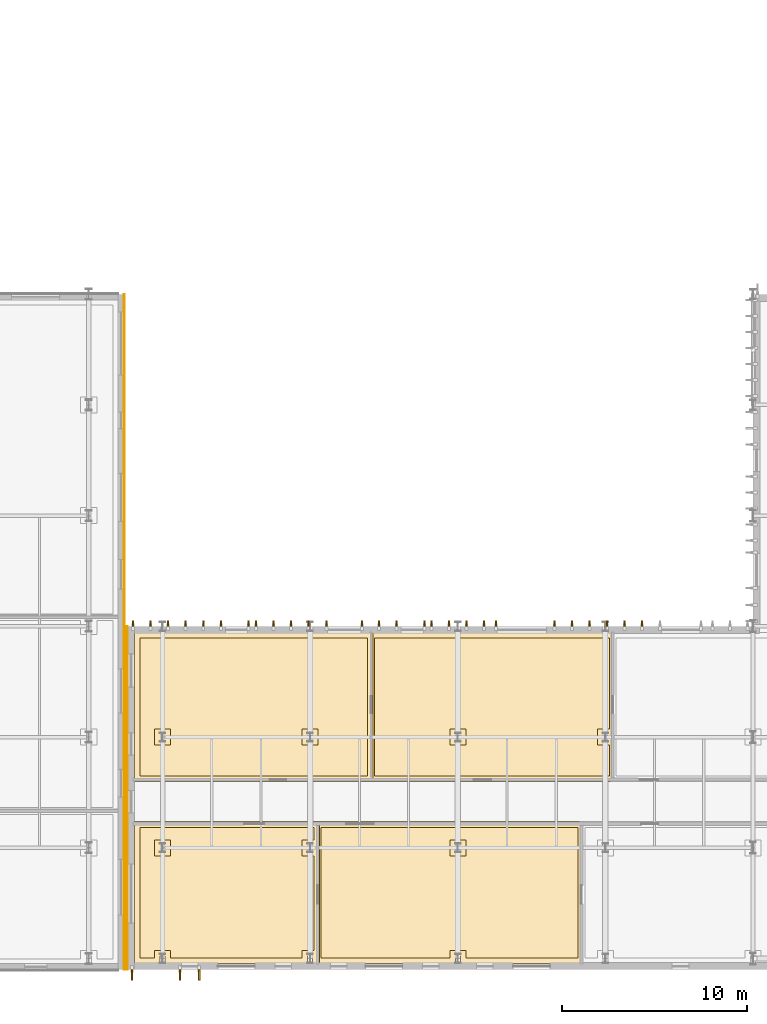
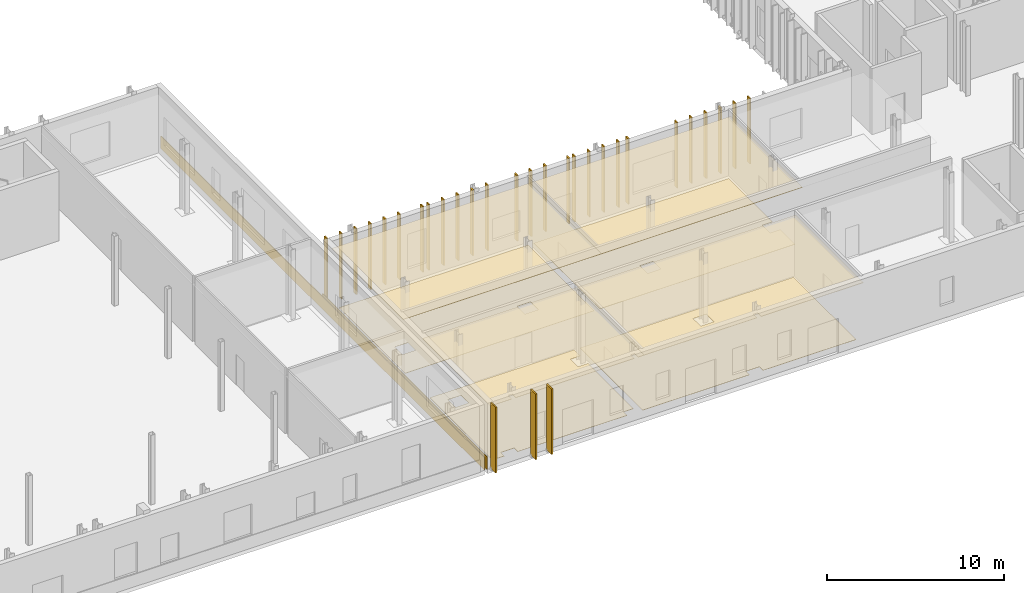
# One storey, part 50 of 60: 40 coverings.
"""IFC4 building model written with IfcOpenShell, lengths in metres."""

from ifc_helpers import new_model, si_unit, direction, frame, frame_2d, origin, origin_2d, place, context, subcontext, project, spatial, polyline, rectangle, outline, extrude, material, layer, layer_set, type_object, element, save


model = new_model("IFC4")

# Units and contexts
model_context = context("Model", 3, precision=1e-05, world=origin(), true_north=direction((0.0, 1.0)))
body_context = subcontext(model_context, "Body", "Model", "MODEL_VIEW")
ifc_project = project(units=[si_unit("LENGTHUNIT", "METRE"), si_unit("AREAUNIT", "SQUARE_METRE"), si_unit("VOLUMEUNIT", "CUBIC_METRE"), si_unit("PLANEANGLEUNIT", "RADIAN"), si_unit("MASSUNIT", "GRAM", prefix="KILO")], contexts=[model_context])

# Site, building, storey
site_placement = place(None, origin())
site = spatial("IfcSite", under=ifc_project, at=site_placement, CompositionType="ELEMENT")
building_placement = place(site_placement, origin())
building = spatial("IfcBuilding", under=site, at=building_placement, Name="Cymarion Research Institute", CompositionType="ELEMENT")
storey_placement = place(building_placement, origin())
storey = spatial("IfcBuildingStorey", under=building, at=storey_placement, Name="L00", CompositionType="ELEMENT", Elevation=0.0)

# Coverings
ifc_material_1 = material(Name="Micro-perforated mineral acoustic ceiling tile", Category="gypsum")
ifc_layer_1 = layer(ifc_material_1, 0.030029296875)
ifc_layer_set_1 = layer_set([ifc_layer_1], Name="Micro-perforated mineral acoustic ceiling tile")
covering_type_1 = type_object("IfcCoveringType", Name="ACOUSTIC MICRO-PERFORATED SUSPENDED CEILING CLG-01", PredefinedType="CEILING", material=ifc_layer_set_1)
covering_1_placement = place(storey_placement, frame((0.0, 0.0, 4.0)))
element("IfcCovering", 1, at=covering_1_placement, inside=storey, type_object=covering_type_1, Name="L00 Marine Geochemistry Wet Laboratory acoustic ceiling", PredefinedType="CEILING", context=body_context, shape_type="SweptSolid", body=[
    extrude(outline(polyline([(115.114990234375, 12.9150390625), (115.114990234375, 5.235107421875), (114.735107421875, 5.235107421875), (114.735107421875, 5.635009765625), (114.465087890625, 5.635009765625), (114.465087890625, 5.235107421875), (106.735107421875, 5.235107421875), (106.735107421875, 5.635009765625), (106.465087890625, 5.635009765625), (106.465087890625, 5.235107421875), (105.0849609375, 5.235107421875), (105.0849609375, 12.9150390625), (115.114990234375, 12.9150390625)])), origin(), (0.0, 0.0, 1.0), 0.030029296875),
])
covering_2_placement = place(storey_placement, frame((0.0, 0.0, 4.0)))
element("IfcCovering", 2, at=covering_2_placement, inside=storey, type_object=covering_type_1, Name="L00 Volcanology Core Specimen Prep Laboratory acoustic ceiling", PredefinedType="CEILING", context=body_context, shape_type="SweptSolid", body=[
    extrude(outline(polyline([(129.4150390625, 12.9150390625), (129.4150390625, 5.235107421875), (122.735107421875, 5.235107421875), (122.735107421875, 5.635009765625), (122.465087890625, 5.635009765625), (122.465087890625, 5.235107421875), (114.885009765625, 5.235107421875), (114.885009765625, 12.9150390625), (129.4150390625, 12.9150390625)])), origin(), (0.0, 0.0, 1.0), 0.030029296875),
])
covering_3_placement = place(storey_placement, frame((0.0, 0.0, 4.0)))
element("IfcCovering", 3, at=covering_3_placement, inside=storey, type_object=covering_type_1, Name="L00 L00 Dry Researcher Write-Up Cluster West acoustic ceiling", PredefinedType="CEILING", context=body_context, shape_type="SweptSolid", body=[
    extrude(outline(polyline([(118.014892578125, 23.1650390625), (118.014892578125, 15.0849609375), (105.0849609375, 15.0849609375), (105.0849609375, 23.1650390625), (118.014892578125, 23.1650390625)])), origin(), (0.0, 0.0, 1.0), 0.030029296875),
])
covering_4_placement = place(storey_placement, frame((0.0, 0.0, 4.0)))
element("IfcCovering", 4, at=covering_4_placement, inside=storey, type_object=covering_type_1, Name="L00 L00 Dry Researcher Write-Up Cluster East acoustic ceiling", PredefinedType="CEILING", context=body_context, shape_type="SweptSolid", body=[
    extrude(outline(polyline([(131.114990234375, 23.1650390625), (131.114990234375, 15.0849609375), (117.784912109375, 15.0849609375), (117.784912109375, 23.1650390625), (131.114990234375, 23.1650390625)])), origin(), (0.0, 0.0, 1.0), 0.030029296875),
])
ifc_material_2 = material(Name="Precast concrete C45/55 architectural white", Category="concrete")
ifc_layer_2 = layer(ifc_material_2, 0.090087890625)
ifc_layer_set_2 = layer_set([ifc_layer_2], Name="Precast concrete C45/55 architectural white")
covering_type_2 = type_object("IfcCoveringType", Name="ARCHITECTURAL WHITE PRECAST CONCRETE VERTICAL FIN FIN1 560MM", PredefinedType="CLADDING", material=ifc_layer_set_2)
for number, where, z_axis, x_axis, name in (
    (5, (104.93994140625, 4.617919921875, 0.009765625), (0.0, 0.0, 1.0), (0.0, -1.0, 0.0), "L00 V1 white precast vertical fin FIN1 #1"),
    (6, (107.544921875, 4.617919921875, 0.009765625), (0.0, 0.0, 1.0), (0.0, -1.0, 0.0), "L00 V1 white precast vertical fin FIN1 #2"),
    (7, (108.5849609375, 4.617919921875, 0.009765625), (0.0, 0.0, 1.0), (0.0, -1.0, 0.0), "L00 V1 white precast vertical fin FIN1 #3"),
):
    element("IfcCovering", number, at=place(storey_placement, frame(where, z_axis=z_axis, x_axis=x_axis)), inside=storey, type_object=covering_type_2, Name=name, PredefinedType="CLADDING", context=body_context, shape_type="SweptSolid", body=[
        extrude(rectangle(XDim=0.56005859375, YDim=0.090087890625, at=origin_2d()), origin(), (0.0, 0.0, 1.0), 4.530029296875),
    ])
ifc_layer_3 = layer(ifc_material_2, 0.080078125)
ifc_layer_set_3 = layer_set([ifc_layer_3], Name="Precast concrete C45/55 architectural white")
covering_type_3 = type_object("IfcCoveringType", Name="ARCHITECTURAL WHITE PRECAST CONCRETE VERTICAL FIN FIN4 300MM", PredefinedType="CLADDING", material=ifc_layer_set_3)
for number, where, z_axis, x_axis, name in (
    (8, (132.59130859375, 23.652099609375, 0.009765625), (0.0, 0.0, 1.0), (0.0, 1.0, 0.0), "L00 V1 white precast vertical fin FIN4 #78"),
    (9, (131.639892578125, 23.652099609375, 0.009765625), (0.0, 0.0, 1.0), (0.0, 1.0, 0.0), "L00 V1 white precast vertical fin FIN4 #79"),
    (10, (130.688720703125, 23.652099609375, 0.009765625), (0.0, 0.0, 1.0), (0.0, 1.0, 0.0), "L00 V1 white precast vertical fin FIN4 #80"),
    (11, (129.737060546875, 23.652099609375, 0.009765625), (0.0, 0.0, 1.0), (0.0, 1.0, 0.0), "L00 V1 white precast vertical fin FIN4 #81"),
    (12, (128.78564453125, 23.652099609375, 0.009765625), (0.0, 0.0, 1.0), (0.0, 1.0, 0.0), "L00 V1 white precast vertical fin FIN4 #82"),
    (13, (127.834228515625, 23.652099609375, 0.009765625), (0.0, 0.0, 1.0), (0.0, 1.0, 0.0), "L00 V1 white precast vertical fin FIN4 #83"),
    (14, (124.659912109375, 23.652099609375, 0.009765625), (0.0, 0.0, 1.0), (0.0, 1.0, 0.0), "L00 V1 white precast vertical fin FIN4 #84"),
    (15, (124.028564453125, 23.652099609375, 0.009765625), (0.0, 0.0, 1.0), (0.0, 1.0, 0.0), "L00 V1 white precast vertical fin FIN4 #85"),
    (16, (123.0771484375, 23.652099609375, 0.009765625), (0.0, 0.0, 1.0), (0.0, 1.0, 0.0), "L00 V1 white precast vertical fin FIN4 #86"),
    (17, (122.125732421875, 23.652099609375, 0.009765625), (0.0, 0.0, 1.0), (0.0, 1.0, 0.0), "L00 V1 white precast vertical fin FIN4 #87"),
    (18, (121.17431640625, 23.652099609375, 0.009765625), (0.0, 0.0, 1.0), (0.0, 1.0, 0.0), "L00 V1 white precast vertical fin FIN4 #88"),
    (19, (120.7900390625, 23.652099609375, 0.009765625), (0.0, 0.0, 1.0), (0.0, 1.0, 0.0), "L00 V1 white precast vertical fin FIN4 #89"),
    (20, (119.271484375, 23.652099609375, 0.009765625), (0.0, 0.0, 1.0), (0.0, 1.0, 0.0), "L00 V1 white precast vertical fin FIN4 #90"),
    (21, (118.320068359375, 23.652099609375, 0.009765625), (0.0, 0.0, 1.0), (0.0, 1.0, 0.0), "L00 V1 white precast vertical fin FIN4 #91"),
    (22, (117.409912109375, 23.652099609375, 0.009765625), (0.0, 0.0, 1.0), (0.0, 1.0, 0.0), "L00 V1 white precast vertical fin FIN4 #92"),
    (23, (115.489990234375, 23.652099609375, 0.009765625), (0.0, 0.0, 1.0), (0.0, 1.0, 0.0), "L00 V1 white precast vertical fin FIN4 #93"),
    (24, (114.514404296875, 23.652099609375, 0.009765625), (0.0, 0.0, 1.0), (0.0, 1.0, 0.0), "L00 V1 white precast vertical fin FIN4 #94"),
    (25, (113.56298828125, 23.652099609375, 0.009765625), (0.0, 0.0, 1.0), (0.0, 1.0, 0.0), "L00 V1 white precast vertical fin FIN4 #95"),
    (26, (112.611328125, 23.652099609375, 0.009765625), (0.0, 0.0, 1.0), (0.0, 1.0, 0.0), "L00 V1 white precast vertical fin FIN4 #96"),
    (27, (111.659912109375, 23.652099609375, 0.009765625), (0.0, 0.0, 1.0), (0.0, 1.0, 0.0), "L00 V1 white precast vertical fin FIN4 #97"),
    (28, (111.260009765625, 23.652099609375, 0.009765625), (0.0, 0.0, 1.0), (0.0, 1.0, 0.0), "L00 V1 white precast vertical fin FIN4 #98"),
    (29, (109.757080078125, 23.652099609375, 0.009765625), (0.0, 0.0, 1.0), (0.0, 1.0, 0.0), "L00 V1 white precast vertical fin FIN4 #99"),
    (30, (108.8056640625, 23.652099609375, 0.009765625), (0.0, 0.0, 1.0), (0.0, 1.0, 0.0), "L00 V1 white precast vertical fin FIN4 #100"),
    (31, (107.854248046875, 23.652099609375, 0.009765625), (0.0, 0.0, 1.0), (0.0, 1.0, 0.0), "L00 V1 white precast vertical fin FIN4 #101"),
    (32, (106.90283203125, 23.652099609375, 0.009765625), (0.0, 0.0, 1.0), (0.0, 1.0, 0.0), "L00 V1 white precast vertical fin FIN4 #102"),
    (33, (105.951416015625, 23.652099609375, 0.009765625), (0.0, 0.0, 1.0), (0.0, 1.0, 0.0), "L00 V1 white precast vertical fin FIN4 #103"),
    (34, (105.0, 23.652099609375, 0.009765625), (0.0, 0.0, 1.0), (0.0, 1.0, 0.0), "L00 V1 white precast vertical fin FIN4 #104"),
):
    element("IfcCovering", number, at=place(storey_placement, frame(where, z_axis=z_axis, x_axis=x_axis)), inside=storey, type_object=covering_type_3, Name=name, PredefinedType="CLADDING", context=body_context, shape_type="SweptSolid", body=[
        extrude(rectangle(XDim=0.300048828125, YDim=0.080078125, at=origin_2d()), origin(), (0.0, 0.0, 1.0), 4.530029296875),
    ])
ifc_material_3 = material(Name="Seamless dissipative epoxy resin flooring", Category="resin")
ifc_layer_4 = layer(ifc_material_3, 0.02001953125)
ifc_layer_set_4 = layer_set([ifc_layer_4], Name="Seamless dissipative epoxy resin flooring")
covering_type_4 = type_object("IfcCoveringType", Name="SEAMLESS ESD EPOXY LABORATORY FLOORING FLR-01", PredefinedType="FLOORING", material=ifc_layer_set_4)
covering_5_placement = place(storey_placement, origin())
element("IfcCovering", 35, at=covering_5_placement, inside=storey, type_object=covering_type_4, Name="L00 Marine Geochemistry Wet Laboratory ESD epoxy flooring", PredefinedType="FLOORING", context=body_context, shape_type="SweptSolid", body=[
    extrude(outline(polyline([(105.385009765625, 12.614990234375), (114.81494140625, 12.614990234375), (114.81494140625, 11.93505859375), (114.1650390625, 11.93505859375), (114.1650390625, 11.06494140625), (114.81494140625, 11.06494140625), (114.81494140625, 5.93505859375), (114.1650390625, 5.93505859375), (114.1650390625, 5.534912109375), (107.034912109375, 5.534912109375), (107.034912109375, 5.93505859375), (106.1650390625, 5.93505859375), (106.1650390625, 5.534912109375), (105.385009765625, 5.534912109375), (105.385009765625, 12.614990234375)]), holes=[polyline([(107.034912109375, 11.93505859375), (106.1650390625, 11.93505859375), (106.1650390625, 11.06494140625), (107.034912109375, 11.06494140625), (107.034912109375, 11.93505859375)])]), origin(), (0.0, 0.0, 1.0), 0.02001953125),
])
covering_6_placement = place(storey_placement, origin())
element("IfcCovering", 36, at=covering_6_placement, inside=storey, type_object=covering_type_4, Name="L00 Volcanology Core Specimen Prep Laboratory ESD epoxy flooring", PredefinedType="FLOORING", context=body_context, shape_type="SweptSolid", body=[
    extrude(outline(polyline([(115.18505859375, 12.614990234375), (129.114990234375, 12.614990234375), (129.114990234375, 5.534912109375), (123.034912109375, 5.534912109375), (123.034912109375, 5.93505859375), (122.1650390625, 5.93505859375), (122.1650390625, 5.534912109375), (115.18505859375, 5.534912109375), (115.18505859375, 12.614990234375)]), holes=[polyline([(123.034912109375, 11.93505859375), (122.1650390625, 11.93505859375), (122.1650390625, 11.06494140625), (123.034912109375, 11.06494140625), (123.034912109375, 11.93505859375)])]), origin(), (0.0, 0.0, 1.0), 0.02001953125),
])
covering_7_placement = place(storey_placement, origin())
element("IfcCovering", 37, at=covering_7_placement, inside=storey, type_object=covering_type_4, Name="L00 L00 Dry Researcher Write-Up Cluster West ESD epoxy flooring", PredefinedType="FLOORING", context=body_context, shape_type="SweptSolid", body=[
    extrude(outline(polyline([(105.385009765625, 22.864990234375), (117.715087890625, 22.864990234375), (117.715087890625, 15.385009765625), (105.385009765625, 15.385009765625), (105.385009765625, 22.864990234375)]), holes=[polyline([(115.034912109375, 17.93505859375), (114.1650390625, 17.93505859375), (114.1650390625, 17.06494140625), (115.034912109375, 17.06494140625), (115.034912109375, 17.93505859375)]), polyline([(107.034912109375, 17.93505859375), (106.1650390625, 17.93505859375), (106.1650390625, 17.06494140625), (107.034912109375, 17.06494140625), (107.034912109375, 17.93505859375)])]), origin(), (0.0, 0.0, 1.0), 0.02001953125),
])
covering_8_placement = place(storey_placement, origin())
element("IfcCovering", 38, at=covering_8_placement, inside=storey, type_object=covering_type_4, Name="L00 L00 Dry Researcher Write-Up Cluster East ESD epoxy flooring", PredefinedType="FLOORING", context=body_context, shape_type="SweptSolid", body=[
    extrude(outline(polyline([(118.0849609375, 22.864990234375), (130.81494140625, 22.864990234375), (130.81494140625, 17.93505859375), (130.1650390625, 17.93505859375), (130.1650390625, 17.06494140625), (130.81494140625, 17.06494140625), (130.81494140625, 15.385009765625), (118.0849609375, 15.385009765625), (118.0849609375, 22.864990234375)]), holes=[polyline([(123.034912109375, 17.93505859375), (122.1650390625, 17.93505859375), (122.1650390625, 17.06494140625), (123.034912109375, 17.06494140625), (123.034912109375, 17.93505859375)])]), origin(), (0.0, 0.0, 1.0), 0.02001953125),
])
ifc_material_4 = material(Name="Campanian volcanic piperno stone rainscreen", Category="masonry")
ifc_layer_5 = layer(ifc_material_4, 0.050048828125)
ifc_layer_set_5 = layer_set([ifc_layer_5], Name="Campanian volcanic piperno stone rainscreen")
covering_type_5 = type_object("IfcCoveringType", Name="VENTILATED TUFF STONE SPANDREL CLADDING COV-CL01", PredefinedType="CLADDING", material=ifc_layer_set_5)
covering_9_placement = place(storey_placement, frame((104.675048828125, 23.5, 0.0), z_axis=(0.0, 0.0, 1.0), x_axis=(0.0, -1.0, 0.0)))
element("IfcCovering", 39, at=covering_9_placement, inside=storey, type_object=covering_type_5, Name="L00 V1 volcanic piperno stone spandrel cladding #1", PredefinedType="CLADDING", context=body_context, shape_type="SweptSolid", body=[
    extrude(rectangle(XDim=18.60009765625, YDim=0.050048828125, at=frame_2d((9.300048828125, 0.0))), origin(), (0.0, 0.0, 1.0), 0.860107421875),
])
covering_10_placement = place(storey_placement, frame((104.52490234375, 4.89990234375, 0.0), z_axis=(0.0, 0.0, 1.0), x_axis=(0.0, 1.0, 0.0)))
element("IfcCovering", 40, at=covering_10_placement, inside=storey, type_object=covering_type_5, Name="L00 V2 volcanic piperno stone spandrel cladding #3", PredefinedType="CLADDING", context=body_context, shape_type="SweptSolid", body=[
    extrude(rectangle(XDim=36.60009765625, YDim=0.050048828125, at=frame_2d((18.300048828125, 0.0))), origin(), (0.0, 0.0, 1.0), 0.860107421875),
])

save(model, "model.ifc")
